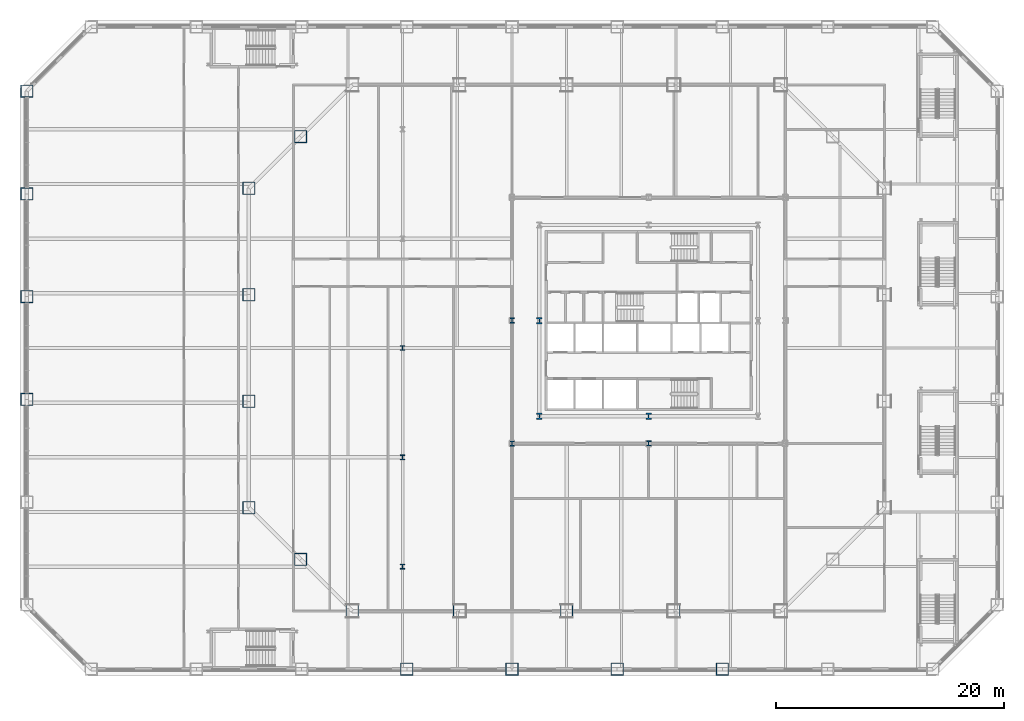
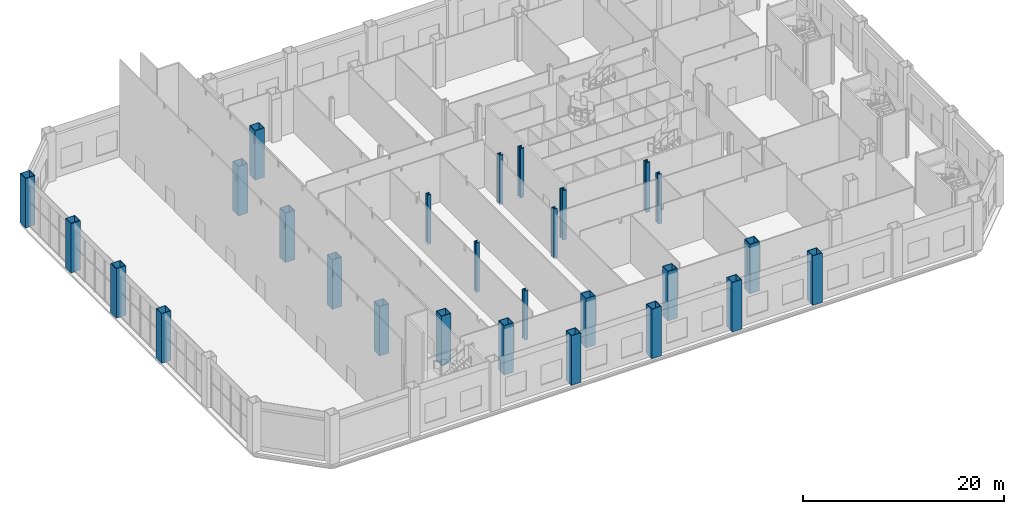
# One storey, part 2 of 31: 27 columns.
"""IFC4 building model written with IfcOpenShell, lengths in metres."""

from ifc_helpers import new_model, si_unit, direction, frame, origin, origin_2d, place, context, subcontext, project, spatial, hollow_rectangle, i_section, extrude, material, material_profile, profile_set, type_object, element, save


model = new_model("IFC4")

# Units and contexts
model_context = context("Model", 3, precision=1e-05, world=origin(), true_north=direction((0.0, 1.0)))
body_context = subcontext(model_context, "Body", "Model", "MODEL_VIEW")
ifc_project = project(units=[si_unit("LENGTHUNIT", "METRE"), si_unit("AREAUNIT", "SQUARE_METRE"), si_unit("VOLUMEUNIT", "CUBIC_METRE"), si_unit("PLANEANGLEUNIT", "RADIAN"), si_unit("MASSUNIT", "GRAM", prefix="KILO")], contexts=[model_context])

# Site, building, storey
site_placement = place(None, origin())
site = spatial("IfcSite", under=ifc_project, at=site_placement, CompositionType="ELEMENT")
building_placement = place(site_placement, origin())
building = spatial("IfcBuilding", under=site, at=building_placement, Name="Cairn Pilgrim Tower", CompositionType="ELEMENT")
storey_placement = place(building_placement, frame((0.0, 0.0, 9.0)))
storey = spatial("IfcBuildingStorey", under=building, at=storey_placement, Name="L01", CompositionType="ELEMENT", Elevation=9.0)

# Columns
ifc_material = material(Name="Structural steel S460M", Category="steel")
ifc_material_profile_1 = material_profile(ifc_material, hollow_rectangle(XDim=1.10009765625, YDim=1.10009765625, WallThickness=0.06005859375, at=origin_2d()), Name="BOX 1100x1100x60")
ifc_profile_set_1 = profile_set([ifc_material_profile_1], Name="Structural steel S460M")
column_type_1 = type_object("IfcColumnType", Name="BOX 1100x1100x60", PredefinedType="COLUMN", material=ifc_profile_set_1)
for number, where, z_axis, x_axis, name in (
    (1, (-18.8271484375, -23.10009765625, -0.199951171875), (0.0, 0.0, 1.0), (1.0, 0.0, 0.0), "PC1-S1"),
    (2, (-9.41357421875, -23.10009765625, -0.199951171875), (0.0, 0.0, 1.0), (1.0, 0.0, 0.0), "PC1-S2"),
    (3, (0.0, -23.10009765625, -0.199951171875), (0.0, 0.0, 1.0), (1.0, 0.0, 0.0), "PC1-S3"),
    (4, (9.41357421875, -23.10009765625, -0.199951171875), (0.0, 0.0, 1.0), (1.0, 0.0, 0.0), "PC1-S4"),
    (5, (-23.363525390625, 18.563720703125, -0.199951171875), (0.0, 0.0, 1.0), (1.0, 0.0, 0.0), "PC1-NW2"),
    (6, (-27.89990234375, 14.027099609375, -0.199951171875), (0.0, 0.0, 1.0), (1.0, 0.0, 0.0), "PC1-W1"),
    (7, (-27.89990234375, 4.67578125, -0.199951171875), (0.0, 0.0, 1.0), (1.0, 0.0, 0.0), "PC1-W2"),
    (8, (-27.89990234375, -4.67578125, -0.199951171875), (0.0, 0.0, 1.0), (1.0, 0.0, 0.0), "PC1-W3"),
    (9, (-27.89990234375, -14.027099609375, -0.199951171875), (0.0, 0.0, 1.0), (1.0, 0.0, 0.0), "PC1-SW1"),
    (10, (-23.363525390625, -18.563720703125, -0.199951171875), (0.0, 0.0, 1.0), (1.0, 0.0, 0.0), "PC1-SW2"),
):
    element("IfcColumn", number, at=place(storey_placement, frame(where, z_axis=z_axis, x_axis=x_axis)), inside=storey, type_object=column_type_1, Name=name, PredefinedType="COLUMN", context=body_context, shape_type="SweptSolid", body=[
        extrude(hollow_rectangle(XDim=1.10009765625, YDim=1.10009765625, WallThickness=0.06005859375, at=origin_2d()), origin(), (0.0, 0.0, 1.0), 6.0),
    ])
ifc_material_profile_2 = material_profile(ifc_material, i_section(OverallWidth=0.4541015625, OverallDepth=0.569091796875, WebThickness=0.077880859375, FlangeThickness=0.125, FilletRadius=0.014892578125, at=origin_2d()), Name="HD 400x1086")
ifc_profile_set_2 = profile_set([ifc_material_profile_2], Name="Structural steel S460M")
column_type_2 = type_object("IfcColumnType", Name="HD 400x1086", PredefinedType="COLUMN", material=ifc_profile_set_2)
for number, where, z_axis, x_axis, name in (
    (11, (-2.39990234375, -6.0, -0.199951171875), (0.0, 0.0, 1.0), (1.0, 0.0, 0.0), "KC-1"),
    (12, (7.199951171875, -6.0, -0.199951171875), (0.0, 0.0, 1.0), (1.0, 0.0, 0.0), "KC-2"),
    (13, (-2.39990234375, 2.39990234375, -0.199951171875), (0.0, 0.0, 1.0), (1.0, 0.0, 0.0), "KC-4"),
):
    element("IfcColumn", number, at=place(storey_placement, frame(where, z_axis=z_axis, x_axis=x_axis)), inside=storey, type_object=column_type_2, Name=name, PredefinedType="COLUMN", context=body_context, shape_type="SweptSolid", body=[
        extrude(i_section(OverallWidth=0.4541015625, OverallDepth=0.569091796875, WebThickness=0.077880859375, FlangeThickness=0.125, FilletRadius=0.014892578125, at=origin_2d()), origin(), (0.0, 0.0, 1.0), 6.0),
    ])
ifc_material_profile_3 = material_profile(ifc_material, i_section(OverallWidth=0.408935546875, OverallDepth=0.425048828125, WebThickness=0.03271484375, FlangeThickness=0.052490234375, FilletRadius=0.014892578125, at=origin_2d()), Name="HD 400x421")
ifc_profile_set_3 = profile_set([ifc_material_profile_3], Name="Structural steel S460M")
column_type_3 = type_object("IfcColumnType", Name="HD 400x421", PredefinedType="COLUMN", material=ifc_profile_set_3)
for number, where, z_axis, x_axis, name in (
    (14, (-14.39990234375, -19.199951171875, -0.199951171875), (0.0, 0.0, 1.0), (1.0, 0.0, 0.0), "WC-WW-4"),
    (15, (-14.39990234375, -9.60009765625, -0.199951171875), (0.0, 0.0, 1.0), (1.0, 0.0, 0.0), "WC-WW-2"),
    (16, (-14.39990234375, 0.0, -0.199951171875), (0.0, 0.0, 1.0), (1.0, 0.0, 0.0), "WC-WW+0"),
):
    element("IfcColumn", number, at=place(storey_placement, frame(where, z_axis=z_axis, x_axis=x_axis)), inside=storey, type_object=column_type_3, Name=name, PredefinedType="COLUMN", context=body_context, shape_type="SweptSolid", body=[
        extrude(i_section(OverallWidth=0.408935546875, OverallDepth=0.425048828125, WebThickness=0.03271484375, FlangeThickness=0.052490234375, FilletRadius=0.014892578125, at=origin_2d()), origin(), (0.0, 0.0, 1.0), 6.0),
    ])
ifc_material_profile_4 = material_profile(ifc_material, i_section(OverallWidth=0.424072265625, OverallDepth=0.47412109375, WebThickness=0.047607421875, FlangeThickness=0.0771484375, FilletRadius=0.014892578125, at=origin_2d()), Name="HD 400x634")
ifc_profile_set_4 = profile_set([ifc_material_profile_4], Name="Structural steel S460M")
column_type_4 = type_object("IfcColumnType", Name="HD 400x634", PredefinedType="COLUMN", material=ifc_profile_set_4)
for number, where, z_axis, x_axis, name in (
    (17, (-4.800048828125, -8.39990234375, -0.199951171875), (0.0, 0.0, 1.0), (1.0, 0.0, 0.0), "IC-1"),
    (18, (7.199951171875, -8.39990234375, -0.199951171875), (0.0, 0.0, 1.0), (1.0, 0.0, 0.0), "IC-2"),
    (19, (-4.800048828125, 2.39990234375, -0.199951171875), (0.0, 0.0, 1.0), (1.0, 0.0, 0.0), "IC-4"),
):
    element("IfcColumn", number, at=place(storey_placement, frame(where, z_axis=z_axis, x_axis=x_axis)), inside=storey, type_object=column_type_4, Name=name, PredefinedType="COLUMN", context=body_context, shape_type="SweptSolid", body=[
        extrude(i_section(OverallWidth=0.424072265625, OverallDepth=0.47412109375, WebThickness=0.047607421875, FlangeThickness=0.0771484375, FilletRadius=0.014892578125, at=origin_2d()), origin(), (0.0, 0.0, 1.0), 6.0),
    ])
ifc_material_profile_5 = material_profile(ifc_material, hollow_rectangle(XDim=1.10009765625, YDim=1.10009765625, WallThickness=0.06005859375, at=origin_2d()), Name="BOX 1100x1100x60")
ifc_profile_set_5 = profile_set([ifc_material_profile_5], Name="Structural steel S460M")
column_type_5 = type_object("IfcColumnType", Name="PILOTIS CFT 1100", PredefinedType="COLUMN", material=ifc_profile_set_5)
for number, where, z_axis, x_axis, name in (
    (20, (-14.037841796875, -28.199951171875, 0.0), (0.0, 0.0, 1.0), (1.0, 0.0, 0.0), "PILOTIS PL-S4"),
    (21, (-4.800048828125, -28.199951171875, 0.0), (0.0, 0.0, 1.0), (1.0, 0.0, 0.0), "PILOTIS PL-S5"),
    (22, (4.43798828125, -28.199951171875, 0.0), (0.0, 0.0, 1.0), (1.0, 0.0, 0.0), "PILOTIS PL-S6"),
    (23, (13.67578125, -28.199951171875, 0.0), (0.0, 0.0, 1.0), (1.0, 0.0, 0.0), "PILOTIS PL-S7"),
    (24, (-47.39990234375, 22.551513671875, 0.0), (0.0, 0.0, 1.0), (1.0, 0.0, 0.0), "PILOTIS PL-W1"),
    (25, (-47.39990234375, 13.531005859375, 0.0), (0.0, 0.0, 1.0), (1.0, 0.0, 0.0), "PILOTIS PL-W2"),
    (26, (-47.39990234375, 4.51025390625, 0.0), (0.0, 0.0, 1.0), (1.0, 0.0, 0.0), "PILOTIS PL-W3"),
    (27, (-47.39990234375, -4.51025390625, 0.0), (0.0, 0.0, 1.0), (1.0, 0.0, 0.0), "PILOTIS PL-W4"),
):
    element("IfcColumn", number, at=place(storey_placement, frame(where, z_axis=z_axis, x_axis=x_axis)), inside=storey, type_object=column_type_5, Name=name, PredefinedType="COLUMN", context=body_context, shape_type="SweptSolid", body=[
        extrude(hollow_rectangle(XDim=1.10009765625, YDim=1.10009765625, WallThickness=0.06005859375, at=origin_2d()), origin(), (0.0, 0.0, 1.0), 6.0),
    ])

save(model, "model.ifc")
